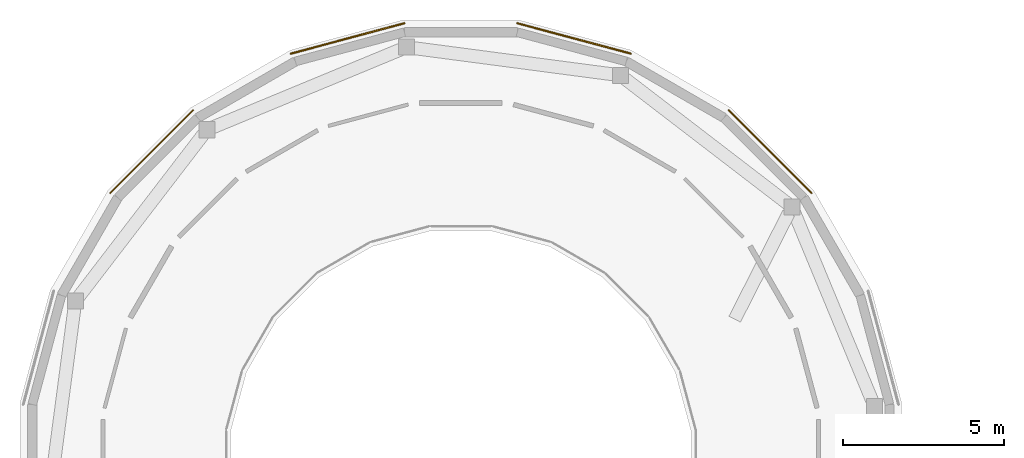
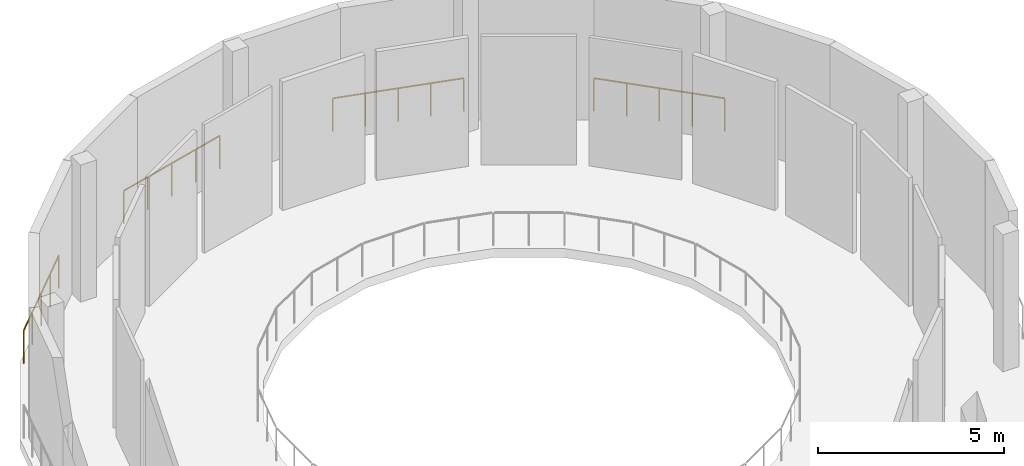
# One storey, part 44 of 46: 4 railings.
"""IFC4 building model written with IfcOpenShell, lengths in metres."""

from ifc_helpers import new_model, si_unit, derived_unit, direction, frame, origin, origin_2d, place, context, subcontext, project, spatial, circle, extrude, material, type_object, element, save


model = new_model("IFC4")

# Units and contexts
model_context = context("Model", 3, precision=1e-05, world=origin(), true_north=direction((0.0, 1.0)))
body_context = subcontext(model_context, "Body", "Model", "MODEL_VIEW")
ifc_project = project(units=[si_unit("LENGTHUNIT", "METRE"), si_unit("AREAUNIT", "SQUARE_METRE"), si_unit("VOLUMEUNIT", "CUBIC_METRE"), si_unit("PLANEANGLEUNIT", "RADIAN"), si_unit("MASSUNIT", "GRAM", prefix="KILO"), derived_unit("THERMALTRANSMITTANCEUNIT", [(si_unit("POWERUNIT", "WATT"), 1), (si_unit("LENGTHUNIT", "METRE"), -2), (si_unit("THERMODYNAMICTEMPERATUREUNIT", "KELVIN"), -1)])], contexts=[model_context])

# Site, building, storey
site_placement = place(None, origin())
site = spatial("IfcSite", under=ifc_project, at=site_placement, CompositionType="ELEMENT")
building_placement = place(site_placement, origin())
building = spatial("IfcBuilding", under=site, at=building_placement, Name="Elbkamm Science Centre", CompositionType="ELEMENT")
storey_placement = place(building_placement, frame((0.0, 0.0, 9.89990234375)))
storey = spatial("IfcBuildingStorey", under=building, at=storey_placement, Name="L02", CompositionType="ELEMENT", Elevation=9.89990234375)

# Railings
ifc_material = material(Name="Stainless steel EN 1.4401", Category="steel")
railing_type = type_object("IfcRailingType", Name="RAIL-EXT-GUARD-1100", PredefinedType="GUARDRAIL", material=ifc_material)
railing_1_placement = place(storey_placement, frame((5.913330078125, 96.507568359375, 0.0)))
element("IfcRailing", 1, at=railing_1_placement, inside=storey, type_object=railing_type, Name="L02 Slab Edge Perimeter Guard 046", PredefinedType="GUARDRAIL", context=body_context, shape_type="SweptSolid", body=[
    extrude(circle(Radius=0.02392578125, at=origin_2d()), frame((0.0, 0.0, 1.078125), z_axis=(0.707106781187, 0.707106781187, 0.0), x_axis=(-0.707106781187, 0.707106781187, 0.0)), (0.0, 0.0, 1.0), 3.6474609375),
    extrude(circle(Radius=0.02001953125, at=origin_2d()), origin(), (0.0, 0.0, 1.0), 1.048095703125),
    extrude(circle(Radius=0.02001953125, at=origin_2d()), frame((0.644775390625, 0.644775390625, 0.0)), (0.0, 0.0, 1.0), 1.048095703125),
    extrude(circle(Radius=0.02001953125, at=origin_2d()), frame((1.28955078125, 1.28955078125, 0.0)), (0.0, 0.0, 1.0), 1.048095703125),
    extrude(circle(Radius=0.02001953125, at=origin_2d()), frame((1.934326171875, 1.934326171875, 0.0)), (0.0, 0.0, 1.0), 1.048095703125),
    extrude(circle(Radius=0.02001953125, at=origin_2d()), frame((2.5791015625, 2.5791015625, 0.0)), (0.0, 0.0, 1.0), 1.048095703125),
])
railing_2_placement = place(storey_placement, frame((11.525634765625, 100.837890625, 0.0)))
element("IfcRailing", 2, at=railing_2_placement, inside=storey, type_object=railing_type, Name="L02 Slab Edge Perimeter Guard 047", PredefinedType="GUARDRAIL", context=body_context, shape_type="SweptSolid", body=[
    extrude(circle(Radius=0.02392578125, at=origin_2d()), frame((0.0, 0.0, 1.078125), z_axis=(0.965917573106, 0.258849844435, 0.0), x_axis=(-0.258849844435, 0.965917573106, 0.0)), (0.0, 0.0, 1.0), 3.647216796875),
    extrude(circle(Radius=0.02001953125, at=origin_2d()), origin(), (0.0, 0.0, 1.0), 1.048095703125),
    extrude(circle(Radius=0.02001953125, at=origin_2d()), frame((0.880859375, 0.236083984375, 0.0)), (0.0, 0.0, 1.0), 1.048095703125),
    extrude(circle(Radius=0.02001953125, at=origin_2d()), frame((1.761474609375, 0.47216796875, 0.0)), (0.0, 0.0, 1.0), 1.048095703125),
    extrude(circle(Radius=0.02001953125, at=origin_2d()), frame((2.64208984375, 0.7080078125, 0.0)), (0.0, 0.0, 1.0), 1.048095703125),
    extrude(circle(Radius=0.02001953125, at=origin_2d()), frame((3.52294921875, 0.944091796875, 0.0)), (0.0, 0.0, 1.0), 1.048095703125),
])
railing_3_placement = place(storey_placement, frame((18.55126953125, 101.781982421875, 0.0)))
element("IfcRailing", 3, at=railing_3_placement, inside=storey, type_object=railing_type, Name="L02 Slab Edge Perimeter Guard 048", PredefinedType="GUARDRAIL", context=body_context, shape_type="SweptSolid", body=[
    extrude(circle(Radius=0.02392578125, at=origin_2d()), frame((0.0, 0.0, 1.078125), z_axis=(0.965917573106, -0.258849844435, 0.0), x_axis=(0.258849844435, 0.965917573106, 0.0)), (0.0, 0.0, 1.0), 3.647216796875),
    extrude(circle(Radius=0.02001953125, at=origin_2d()), origin(), (0.0, 0.0, 1.0), 1.048095703125),
    extrude(circle(Radius=0.02001953125, at=origin_2d()), frame((0.880859375, -0.236083984375, 0.0)), (0.0, 0.0, 1.0), 1.048095703125),
    extrude(circle(Radius=0.02001953125, at=origin_2d()), frame((1.761474609375, -0.47216796875, 0.0)), (0.0, 0.0, 1.0), 1.048095703125),
    extrude(circle(Radius=0.02001953125, at=origin_2d()), frame((2.64208984375, -0.7080078125, 0.0)), (0.0, 0.0, 1.0), 1.048095703125),
    extrude(circle(Radius=0.02001953125, at=origin_2d()), frame((3.52294921875, -0.944091796875, 0.0)), (0.0, 0.0, 1.0), 1.048095703125),
])
railing_4_placement = place(storey_placement, frame((25.107666015625, 99.086669921875, 0.0)))
element("IfcRailing", 4, at=railing_4_placement, inside=storey, type_object=railing_type, Name="L02 Slab Edge Perimeter Guard 049", PredefinedType="GUARDRAIL", context=body_context, shape_type="SweptSolid", body=[
    extrude(circle(Radius=0.02392578125, at=origin_2d()), frame((0.0, 0.0, 1.078125), z_axis=(0.707106781187, -0.707106781187, 0.0), x_axis=(0.707106781187, 0.707106781187, 0.0)), (0.0, 0.0, 1.0), 3.6474609375),
    extrude(circle(Radius=0.02001953125, at=origin_2d()), origin(), (0.0, 0.0, 1.0), 1.048095703125),
    extrude(circle(Radius=0.02001953125, at=origin_2d()), frame((0.644775390625, -0.644775390625, 0.0)), (0.0, 0.0, 1.0), 1.048095703125),
    extrude(circle(Radius=0.02001953125, at=origin_2d()), frame((1.28955078125, -1.28955078125, 0.0)), (0.0, 0.0, 1.0), 1.048095703125),
    extrude(circle(Radius=0.02001953125, at=origin_2d()), frame((1.934326171875, -1.934326171875, 0.0)), (0.0, 0.0, 1.0), 1.048095703125),
    extrude(circle(Radius=0.02001953125, at=origin_2d()), frame((2.5791015625, -2.5791015625, 0.0)), (0.0, 0.0, 1.0), 1.048095703125),
])

save(model, "model.ifc")
